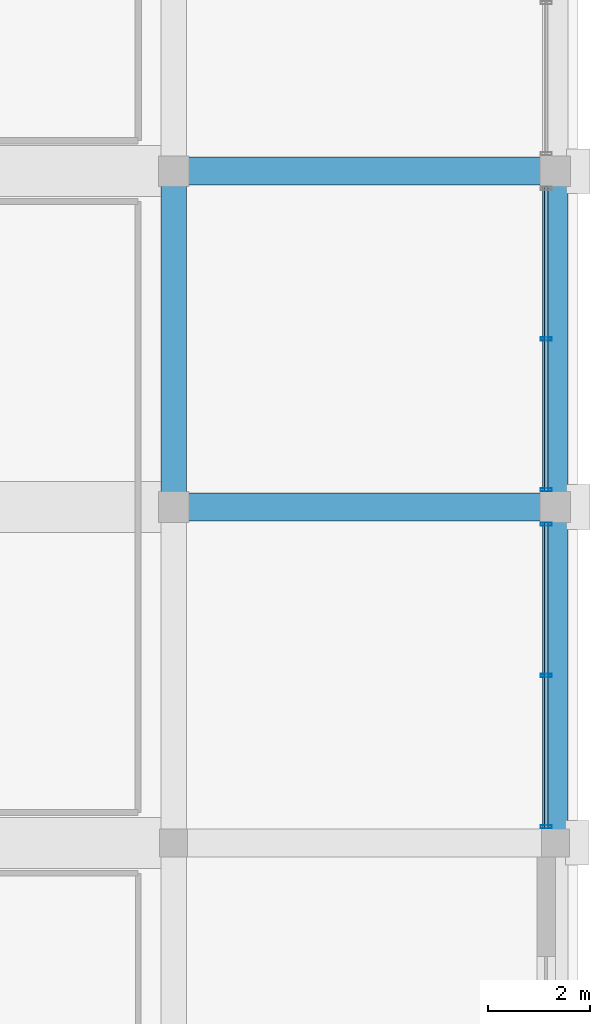
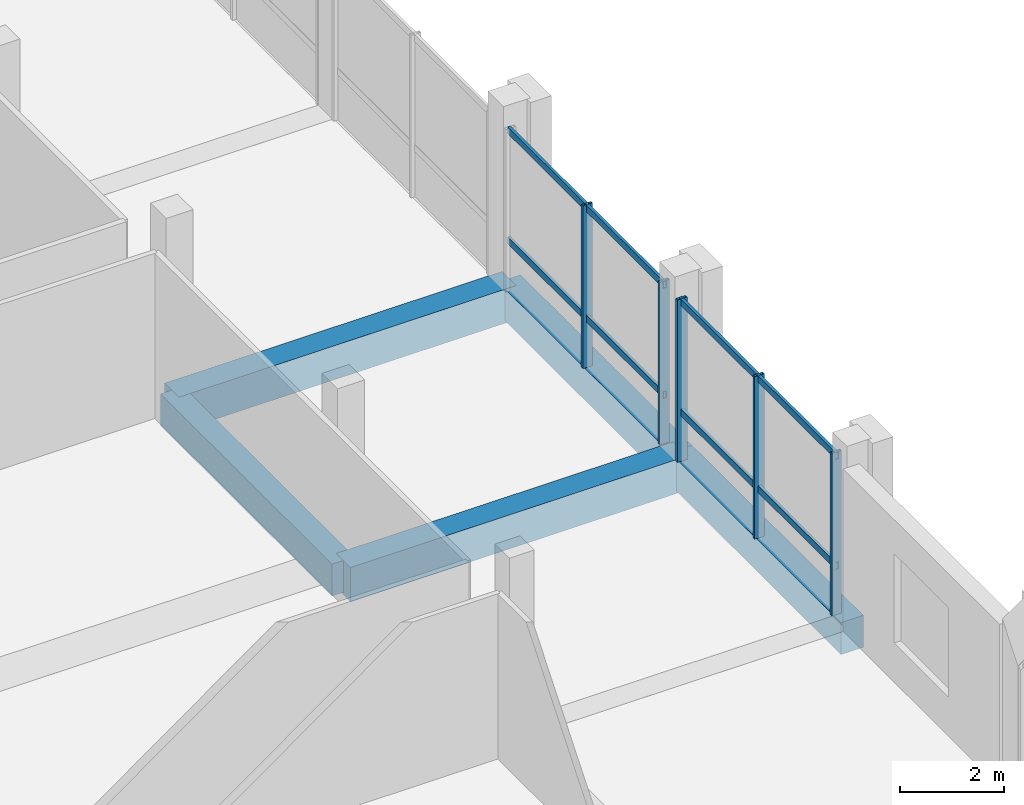
# One storey, part 36 of 68: 9 members, 5 beams, 2 elements without a shape of their own.
"""IFC4 building model written with IfcOpenShell, lengths in metres."""

from ifc_helpers import new_model, si_unit, direction, frame, origin, origin_2d, place, context, subcontext, project, spatial, rectangle, hollow_rectangle, extrude, material, material_profile, profile_set, type_object, element, aggregate, save


model = new_model("IFC4")

# Units and contexts
model_context = context("Model", 3, precision=1e-05, world=origin(), true_north=direction((0.0, 1.0)))
body_context = subcontext(model_context, "Body", "Model", "MODEL_VIEW")
ifc_project = project(units=[si_unit("LENGTHUNIT", "METRE"), si_unit("AREAUNIT", "SQUARE_METRE"), si_unit("VOLUMEUNIT", "CUBIC_METRE"), si_unit("PLANEANGLEUNIT", "RADIAN"), si_unit("MASSUNIT", "GRAM", prefix="KILO")], contexts=[model_context])

# Site, building, storey
site_placement = place(None, origin())
site = spatial("IfcSite", under=ifc_project, at=site_placement, CompositionType="ELEMENT")
building_placement = place(site_placement, origin())
building = spatial("IfcBuilding", under=site, at=building_placement, Name="Akrevak Sports Hall", CompositionType="ELEMENT")
storey_placement = place(building_placement, frame((0.0, 0.0, 9.39990234375)))
storey = spatial("IfcBuildingStorey", under=building, at=storey_placement, Name="L02", CompositionType="ELEMENT", Elevation=9.39990234375)

# Curtain wall, members
ifc_material_1 = material(Name="Anodized Bronze Aluminium & Low-E Glass", Category="aluminium")
curtain_wall_type = type_object("IfcCurtainWallType", Name="ARC-CW-POD-64x42", PredefinedType="NOTDEFINED", material=ifc_material_1)
curtain_wall_1_placement = place(storey_placement, origin())
curtain_wall_1 = element("IfcCurtainWall", 1, at=curtain_wall_1_placement, inside=storey, type_object=curtain_wall_type, Name="Curtain Wall CW-L02-E06", PredefinedType="NOTDEFINED")
ifc_material_2 = material(Name="Anodized Bronze Aluminium", Category="aluminium")
ifc_material_profile_1 = material_profile(ifc_material_2, hollow_rectangle(XDim=0.06494140625, YDim=0.219970703125, WallThickness=0.00439453125, at=origin_2d()), Name="CWM 65x220", Category="aluminium")
ifc_profile_set_1 = profile_set([ifc_material_profile_1], Name="Anodized Bronze Aluminium")
member_type_1 = type_object("IfcMemberType", Name="ARC-CWM-70x160", PredefinedType="MULLION", material=ifc_profile_set_1)
member_1_placement = place(storey_placement, frame((167.820068359375, 35.715087890625, 0.0), z_axis=(0.0, 0.0, 1.0), x_axis=(0.0, 1.0, 0.0)))
member_1 = element("IfcMember", 2, at=member_1_placement, type_object=member_type_1, Name="Curtain Wall Mullion CW-L02-E06-M1", PredefinedType="MULLION", context=body_context, shape_type="SweptSolid", body=[
    extrude(hollow_rectangle(XDim=0.06494140625, YDim=0.219970703125, WallThickness=0.00439453125, at=origin_2d()), origin(), (0.0, 0.0, 1.0), 3.820068359375),
])
member_2_placement = place(storey_placement, frame((167.820068359375, 38.6875, 0.0), z_axis=(0.0, 0.0, 1.0), x_axis=(0.0, 1.0, 0.0)))
member_2 = element("IfcMember", 3, at=member_2_placement, type_object=member_type_1, Name="Curtain Wall Mullion CW-L02-E06-M2", PredefinedType="MULLION", context=body_context, shape_type="SweptSolid", body=[
    extrude(hollow_rectangle(XDim=0.06494140625, YDim=0.219970703125, WallThickness=0.00439453125, at=origin_2d()), origin(), (0.0, 0.0, 1.0), 3.820068359375),
])
member_3_placement = place(storey_placement, frame((167.820068359375, 41.659912109375, 0.0), z_axis=(0.0, 0.0, 1.0), x_axis=(0.0, 1.0, 0.0)))
member_3 = element("IfcMember", 4, at=member_3_placement, type_object=member_type_1, Name="Curtain Wall Mullion CW-L02-E06-M3", PredefinedType="MULLION", context=body_context, shape_type="SweptSolid", body=[
    extrude(hollow_rectangle(XDim=0.06494140625, YDim=0.219970703125, WallThickness=0.00439453125, at=origin_2d()), origin(), (0.0, 0.0, 1.0), 3.820068359375),
])

curtain_wall_2_placement = place(storey_placement, origin())
curtain_wall_2 = element("IfcCurtainWall", 5, at=curtain_wall_2_placement, inside=storey, type_object=curtain_wall_type, Name="Curtain Wall CW-L02-E07", PredefinedType="NOTDEFINED")
member_4_placement = place(storey_placement, frame((167.820068359375, 42.340087890625, 0.0), z_axis=(0.0, 0.0, 1.0), x_axis=(0.0, 1.0, 0.0)))
member_4 = element("IfcMember", 6, at=member_4_placement, type_object=member_type_1, Name="Curtain Wall Mullion CW-L02-E07-M1", PredefinedType="MULLION", context=body_context, shape_type="SweptSolid", body=[
    extrude(hollow_rectangle(XDim=0.06494140625, YDim=0.219970703125, WallThickness=0.00439453125, at=origin_2d()), origin(), (0.0, 0.0, 1.0), 3.820068359375),
])
member_5_placement = place(storey_placement, frame((167.820068359375, 45.300048828125, 0.0), z_axis=(0.0, 0.0, 1.0), x_axis=(0.0, 1.0, 0.0)))
member_5 = element("IfcMember", 7, at=member_5_placement, type_object=member_type_1, Name="Curtain Wall Mullion CW-L02-E07-M2", PredefinedType="MULLION", context=body_context, shape_type="SweptSolid", body=[
    extrude(hollow_rectangle(XDim=0.06494140625, YDim=0.219970703125, WallThickness=0.00439453125, at=origin_2d()), origin(), (0.0, 0.0, 1.0), 3.820068359375),
])

# Member
ifc_material_profile_2 = material_profile(ifc_material_2, hollow_rectangle(XDim=0.06494140625, YDim=0.159912109375, WallThickness=0.00390625, at=origin_2d()), Name="CWT 65x160", Category="aluminium")
ifc_profile_set_2 = profile_set([ifc_material_profile_2], Name="Anodized Bronze Aluminium")
member_type_2 = type_object("IfcMemberType", Name="ARC-CWT-70x130", PredefinedType="USERDEFINED", material=ifc_profile_set_2)
member_6_placement = place(storey_placement, frame((167.820068359375, 35.675048828125, 1.150146484375), z_axis=(0.0, 1.0, 0.0), x_axis=(-1.0, 0.0, 0.0)))
member_6 = element("IfcMember", 8, at=member_6_placement, type_object=member_type_2, Name="Curtain Wall Transom CW-L02-E06-T1", ObjectType="TRANSOM", PredefinedType="USERDEFINED", context=body_context, shape_type="SweptSolid", body=[
    extrude(hollow_rectangle(XDim=0.06494140625, YDim=0.159912109375, WallThickness=0.00390625, at=origin_2d()), origin(), (0.0, 0.0, 1.0), 6.02490234375),
])

member_7_placement = place(storey_placement, frame((167.820068359375, 35.675048828125, 3.739990234375), z_axis=(0.0, 1.0, 0.0), x_axis=(-1.0, 0.0, 0.0)))
member_7 = element("IfcMember", 9, at=member_7_placement, type_object=member_type_2, Name="Curtain Wall Transom CW-L02-E06-T2", ObjectType="TRANSOM", PredefinedType="USERDEFINED", context=body_context, shape_type="SweptSolid", body=[
    extrude(hollow_rectangle(XDim=0.06494140625, YDim=0.159912109375, WallThickness=0.00390625, at=origin_2d()), origin(), (0.0, 0.0, 1.0), 6.02490234375),
])

aggregate(curtain_wall_1, [member_1, member_2, member_3, member_6, member_7])

member_8_placement = place(storey_placement, frame((167.820068359375, 42.300048828125, 1.150146484375), z_axis=(0.0, 1.0, 0.0), x_axis=(-1.0, 0.0, 0.0)))
member_8 = element("IfcMember", 10, at=member_8_placement, type_object=member_type_2, Name="Curtain Wall Transom CW-L02-E07-T1", ObjectType="TRANSOM", PredefinedType="USERDEFINED", context=body_context, shape_type="SweptSolid", body=[
    extrude(hollow_rectangle(XDim=0.06494140625, YDim=0.159912109375, WallThickness=0.00390625, at=origin_2d()), origin(), (0.0, 0.0, 1.0), 6.0),
])

member_9_placement = place(storey_placement, frame((167.820068359375, 42.300048828125, 3.739990234375), z_axis=(0.0, 1.0, 0.0), x_axis=(-1.0, 0.0, 0.0)))
member_9 = element("IfcMember", 11, at=member_9_placement, type_object=member_type_2, Name="Curtain Wall Transom CW-L02-E07-T2", ObjectType="TRANSOM", PredefinedType="USERDEFINED", context=body_context, shape_type="SweptSolid", body=[
    extrude(hollow_rectangle(XDim=0.06494140625, YDim=0.159912109375, WallThickness=0.00390625, at=origin_2d()), origin(), (0.0, 0.0, 1.0), 6.0),
])

aggregate(curtain_wall_2, [member_4, member_5, member_8, member_9])

# Beams
ifc_material_3 = material(Name="Concrete C40/50", Category="concrete")
ifc_material_profile_3 = material_profile(ifc_material_3, rectangle(XDim=0.5, YDim=0.75, at=origin_2d()), Name="BM 500x750", Category="concrete")
ifc_profile_set_3 = profile_set([ifc_material_profile_3], Name="Concrete C40/50")
beam_type_1 = type_object("IfcBeamType", Name="STR-BM-RC500x750", PredefinedType="BEAM", material=ifc_profile_set_3)
for number, where, z_axis, x_axis, name in (
    (12, (160.5, 42.0, -0.375), (0.0, 1.0, 0.0), (-1.0, 0.0, 0.0), "Girder 22/G-H (L02)"),
    (13, (168.0, 35.39990234375, -0.375), (0.0, 1.0, 0.0), (-1.0, 0.0, 0.0), "Girder 23/F-G (L02)"),
    (14, (168.0, 42.0, -0.375), (0.0, 1.0, 0.0), (-1.0, 0.0, 0.0), "Girder 23/G-H (L02)"),
):
    element("IfcBeam", number, at=place(storey_placement, frame(where, z_axis=z_axis, x_axis=x_axis)), inside=storey, type_object=beam_type_1, Name=name, PredefinedType="BEAM", context=body_context, shape_type="SweptSolid", body=[
        extrude(rectangle(XDim=0.5, YDim=0.75, at=origin_2d()), origin(), (0.0, 0.0, 1.0), 6.60009765625),
    ])
ifc_material_profile_4 = material_profile(ifc_material_3, rectangle(XDim=0.550048828125, YDim=0.800048828125, at=origin_2d()), Name="BM 550x800", Category="concrete")
ifc_profile_set_4 = profile_set([ifc_material_profile_4], Name="Concrete C40/50")
beam_type_2 = type_object("IfcBeamType", Name="STR-BM-RC550x800", PredefinedType="BEAM", material=ifc_profile_set_4)
for number, where, z_axis, x_axis, name in (
    (15, (160.5, 42.0, -0.39990234375), (1.0, 0.0, 0.0), (0.0, 1.0, 0.0), "Girder G/22-23 (L02)"),
    (16, (160.5, 48.60009765625, -0.39990234375), (1.0, 0.0, 0.0), (0.0, 1.0, 0.0), "Girder H/22-23 (L02)"),
):
    element("IfcBeam", number, at=place(storey_placement, frame(where, z_axis=z_axis, x_axis=x_axis)), inside=storey, type_object=beam_type_2, Name=name, PredefinedType="BEAM", context=body_context, shape_type="SweptSolid", body=[
        extrude(rectangle(XDim=0.550048828125, YDim=0.800048828125, at=origin_2d()), origin(), (0.0, 0.0, 1.0), 7.5),
    ])

save(model, "model.ifc")
